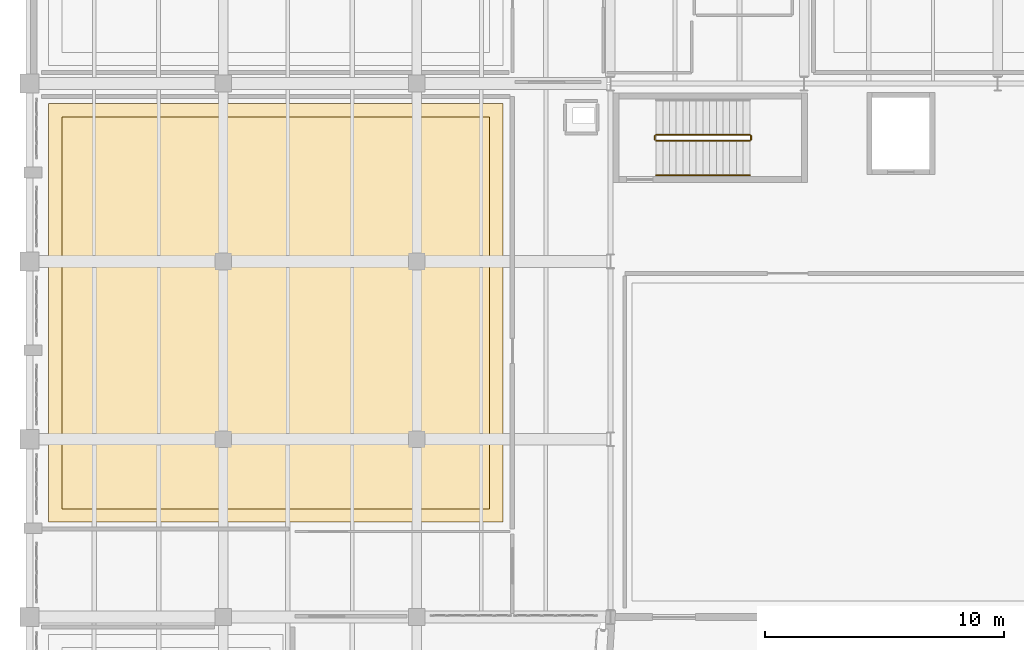
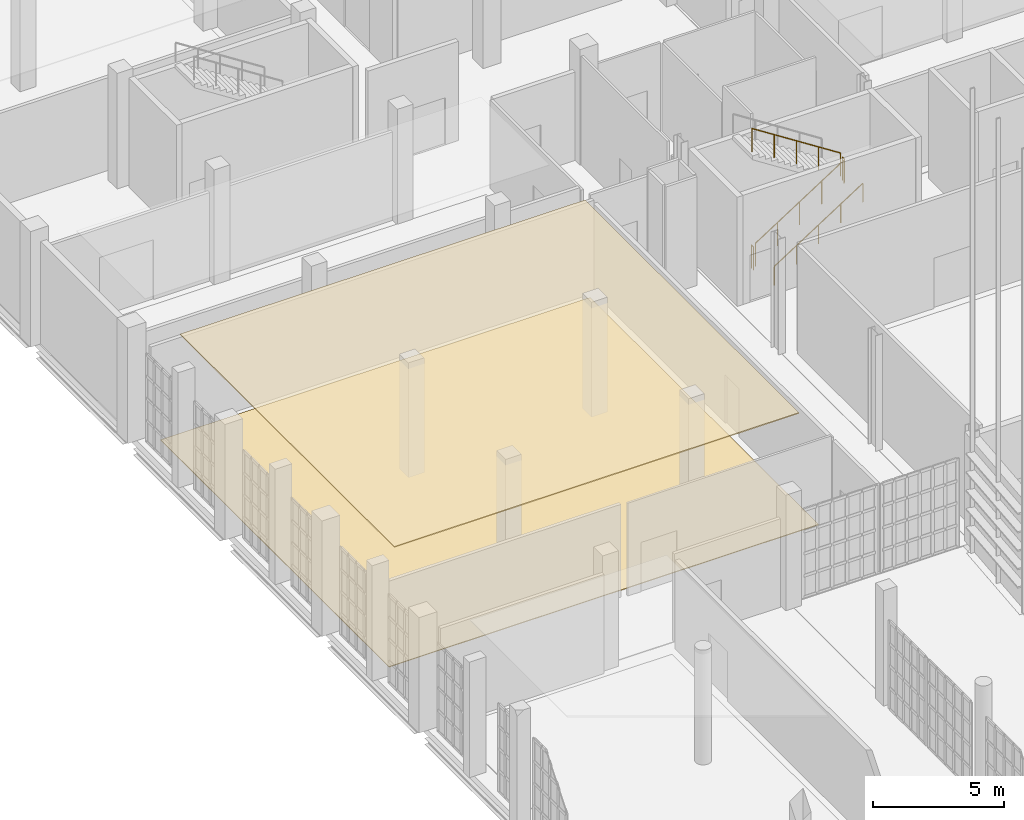
# One storey, part 363 of 372: 5 railings, 2 coverings.
"""IFC4 building model written with IfcOpenShell, lengths in metres."""

import ifcopenshell
import ifcopenshell.guid

model = None  # the IFC model being written
_history = None  # IfcOwnerHistory: only IFC2X3 demands one
_inside = {}  # id of a spatial element -> (the spatial element, [elements in it])
_under = {}  # id of a project, library or spatial element -> (it, [spatial elements below it])
_declared = {}  # id of a project -> (the project, [libraries it declares])
_typed = {}  # id of a type object -> (the type object, [elements of that type])
_made_of = {}  # id of a material, layer set ... -> (it, [elements and type objects made of it])


def new_model(schema):
    """Start an empty IFC model of exactly this schema.

    Asked for "IFC4X3", IfcOpenShell would pick the latest addendum, in which some entities
    have other attributes; the version numbers below select the first issue.
    IFC2X3 requires an IfcOwnerHistory on every rooted entity: one is made here for all.
    """
    global model, _history
    if schema == "IFC4X3":
        model = ifcopenshell.file(schema_version=(4, 3, 0, 0))
    else:
        model = ifcopenshell.file(schema=schema)
    _inside.clear()
    _under.clear()
    _declared.clear()
    _typed.clear()
    _made_of.clear()
    _history = None
    if model.schema == "IFC2X3":
        org = make("IfcOrganization", Name="unknown")
        user = make(
            "IfcPersonAndOrganization",
            ThePerson=make("IfcPerson", FamilyName="unknown"),
            TheOrganization=org,
        )
        app = make(
            "IfcApplication",
            ApplicationDeveloper=org,
            Version="unknown",
            ApplicationFullName="unknown",
            ApplicationIdentifier="unknown",
        )
        _history = make(
            "IfcOwnerHistory",
            OwningUser=user,
            OwningApplication=app,
            ChangeAction="ADDED",
            CreationDate=0,
        )
    return model


def make(cls, **values):
    """One entity of the class cls with the attributes given. An attribute that is None is left unset."""
    return model.create_entity(
        cls, **{name: value for name, value in values.items() if value is not None}
    )


def rooted(cls, **values):
    """An entity with a GlobalId (a new one), such as an element, a storey or a relation."""
    return make(cls, GlobalId=ifcopenshell.guid.new(), OwnerHistory=_history, **values)


def si_unit(unit_type, name, prefix=None):
    """IfcSIUnit, for example si_unit("LENGTHUNIT", "METRE", prefix="MILLI")."""
    return make("IfcSIUnit", UnitType=unit_type, Prefix=prefix, Name=name)


def assignment(units):
    """IfcUnitAssignment: the units of a project."""
    return None if units is None else make("IfcUnitAssignment", Units=units)


def point(xyz):
    """IfcCartesianPoint."""
    return None if xyz is None else make("IfcCartesianPoint", Coordinates=xyz)


def direction(xyz):
    """IfcDirection."""
    return None if xyz is None else make("IfcDirection", DirectionRatios=xyz)


def frame(location, z_axis=None, x_axis=None):
    """IfcAxis2Placement3D, a coordinate frame: its origin and axes. An axis left out is left unset."""
    return make(
        "IfcAxis2Placement3D",
        Location=point(location),
        Axis=direction(z_axis),
        RefDirection=direction(x_axis),
    )


def frame_2d(location, x_axis=None):
    """IfcAxis2Placement2D, a coordinate frame in the plane: its origin and x axis."""
    return make(
        "IfcAxis2Placement2D", Location=point(location), RefDirection=direction(x_axis)
    )


def origin():
    """The frame at (0, 0, 0) with its axes left unset."""
    return frame((0.0, 0.0, 0.0))


def origin_2d():
    """The frame at (0, 0) in the plane with its x axis left unset."""
    return frame_2d((0.0, 0.0))


def place(relative_to, where):
    """IfcLocalPlacement: puts the frame where relative to a parent placement (None: the world)."""
    return make(
        "IfcLocalPlacement", PlacementRelTo=relative_to, RelativePlacement=where
    )


def context(
    kind, dimensions, precision=None, world=None, true_north=None, identifier=None
):
    """IfcGeometricRepresentationContext, for example the 3D "Model" context."""
    return make(
        "IfcGeometricRepresentationContext",
        ContextIdentifier=identifier,
        ContextType=kind,
        CoordinateSpaceDimension=dimensions,
        Precision=precision,
        WorldCoordinateSystem=world,
        TrueNorth=true_north,
    )


def subcontext(parent, identifier, kind, view, scale=None):
    """IfcGeometricRepresentationSubContext, for example "Body" below "Model"."""
    return make(
        "IfcGeometricRepresentationSubContext",
        ContextIdentifier=identifier,
        ContextType=kind,
        ParentContext=parent,
        TargetScale=scale,
        TargetView=view,
    )


def project(units=None, contexts=None):
    """IfcProject with its units and contexts."""
    return rooted(
        "IfcProject",
        Name="project",
        RepresentationContexts=contexts,
        UnitsInContext=assignment(units),
    )


def spatial(cls, under=None, at=None, **own):
    """A site, building, storey or space (cls), placed at a placement, below another one or the project."""
    s = rooted(cls, ObjectPlacement=at, **own)
    if under is not None:
        _under.setdefault(under.id(), (under, []))[1].append(s)
    return s


def polyline(points):
    """IfcPolyline through the points."""
    return make("IfcPolyline", Points=[point(p) for p in points])


def profile(cls, at=None, kind="AREA", **sizes):
    """A parametric profile (cls). Its sizes go by their IFC names, for example OverallWidth=200.0."""
    return make(cls, ProfileType=kind, Position=at, **sizes)


def circle(**sizes):
    """IfcCircleProfileDef."""
    return profile("IfcCircleProfileDef", **sizes)


def outline(outer, holes=None, kind="AREA"):
    """IfcArbitraryClosedProfileDef: a profile drawn as a closed curve; with holes, ...WithVoids."""
    if holes is None:
        return make("IfcArbitraryClosedProfileDef", ProfileType=kind, OuterCurve=outer)
    return make(
        "IfcArbitraryProfileDefWithVoids",
        ProfileType=kind,
        OuterCurve=outer,
        InnerCurves=holes,
    )


def extrude(swept, where, along, depth):
    """IfcExtrudedAreaSolid: the profile swept, set in the frame where, extruded along a direction by depth."""
    return make(
        "IfcExtrudedAreaSolid",
        SweptArea=swept,
        Position=where,
        ExtrudedDirection=direction(along),
        Depth=depth,
    )


def shape(context_of_items, identifier, shape_type, items):
    """IfcShapeRepresentation: the items that make up one representation, for example the "Body"."""
    return make(
        "IfcShapeRepresentation",
        ContextOfItems=context_of_items,
        RepresentationIdentifier=identifier,
        RepresentationType=shape_type,
        Items=items,
    )


def material(Name=None, Category=None):
    """IfcMaterial."""
    return make("IfcMaterial", Name=Name, Category=Category)


def layer(
    of_material, thickness, ventilated=None, Name=None, Category=None, Priority=None
):
    """IfcMaterialLayer: one layer of a wall or slab, of a material (None: an air gap)."""
    return make(
        "IfcMaterialLayer",
        Material=of_material,
        LayerThickness=thickness,
        IsVentilated=ventilated,
        Name=Name,
        Category=Category,
        Priority=Priority,
    )


def layer_set(layers, Name=None):
    """IfcMaterialLayerSet."""
    return make("IfcMaterialLayerSet", MaterialLayers=layers, LayerSetName=Name)


def made_of(thing, what):
    """Note that an element or type object is made of a material, layer set ...; save() writes the relation."""
    if what is not None:
        _made_of.setdefault(what.id(), (what, []))[1].append(thing)
    return thing


def type_object(cls, material=None, **own):
    """A type object (cls), such as IfcWallType, which elements share."""
    return made_of(rooted(cls, **own), material)


def element(
    cls,
    number,
    at=None,
    inside=None,
    cuts=None,
    type_object=None,
    material=None,
    context=None,
    identifier="Body",
    shape_type=None,
    held_by="IfcProductDefinitionShape",
    body=None,
    shapes=None,
    **own,
):
    """One element of the class cls, such as IfcWall. Its Tag is "e" and its number.

    at: its placement. inside: the storey or other place that contains it. cuts: it is an
    opening in that element (IfcRelVoidsElement). A single representation is given by context,
    identifier, shape_type and body (its items); several are given by shapes. held_by: the class
    of the entity that holds the representations. save() writes the other relations.
    """
    e = rooted(cls, Tag="e%d" % number, ObjectPlacement=at, **own)
    if body is not None:
        shapes = [shape(context, identifier, shape_type, body)]
    if shapes is not None:
        e.Representation = make(held_by, Representations=shapes)
    if inside is not None:
        _inside.setdefault(inside.id(), (inside, []))[1].append(e)
    if cuts is not None:
        rooted(
            "IfcRelVoidsElement", RelatingBuildingElement=cuts, RelatedOpeningElement=e
        )
    if type_object is not None:
        _typed.setdefault(type_object.id(), (type_object, []))[1].append(e)
    return made_of(e, material)


def aggregate(whole, parts):
    """IfcRelAggregates: a whole, such as a stair, and the parts it consists of."""
    return rooted("IfcRelAggregates", RelatingObject=whole, RelatedObjects=parts)


def save(model, path):
    """Write the relations noted so far, then the file.

    IfcRelAggregates (storeys below a building ...), IfcRelContainedInSpatialStructure (elements
    in a storey), IfcRelDefinesByType, IfcRelAssociatesMaterial and IfcRelDeclares: one each for
    every whole, place, type object, material and project.
    """
    for whole, parts in _under.values():
        aggregate(whole, parts)
    for where, things in _inside.values():
        rooted(
            "IfcRelContainedInSpatialStructure",
            RelatedElements=things,
            RelatingStructure=where,
        )
    for kind, things in _typed.values():
        rooted("IfcRelDefinesByType", RelatedObjects=things, RelatingType=kind)
    for what, things in _made_of.values():
        rooted("IfcRelAssociatesMaterial", RelatedObjects=things, RelatingMaterial=what)
    for by, libraries in _declared.values():
        rooted("IfcRelDeclares", RelatingContext=by, RelatedDefinitions=libraries)
    model.write(path)


model = new_model("IFC4")

# Units and contexts
model_context = context("Model", 3, precision=1e-05, world=origin(), true_north=direction((0.0, 1.0)))
body_context = subcontext(model_context, "Body", "Model", "MODEL_VIEW")
ifc_project = project(units=[si_unit("LENGTHUNIT", "METRE"), si_unit("AREAUNIT", "SQUARE_METRE"), si_unit("VOLUMEUNIT", "CUBIC_METRE"), si_unit("PLANEANGLEUNIT", "RADIAN"), si_unit("MASSUNIT", "GRAM", prefix="KILO")], contexts=[model_context])

# Site, building, storey
site_placement = place(None, origin())
site = spatial("IfcSite", under=ifc_project, at=site_placement, CompositionType="ELEMENT")
building_placement = place(site_placement, origin())
building = spatial("IfcBuilding", under=site, at=building_placement, Name="Kaelora Sail Theatre", CompositionType="ELEMENT")
storey_placement = place(building_placement, origin())
storey = spatial("IfcBuildingStorey", under=building, at=storey_placement, Name="L00", CompositionType="ELEMENT", Elevation=0.0)

# Coverings
ifc_material_1 = material(Name="Micro-perforated timber acoustic reflector", Category="wood")
ifc_layer_1 = layer(ifc_material_1, 0.050048828125)
ifc_layer_set_1 = layer_set([ifc_layer_1], Name="Micro-perforated timber acoustic reflector")
covering_type_1 = type_object("IfcCoveringType", Name="ARC-COV-CLG-AC-50", PredefinedType="CEILING", material=ifc_layer_set_1)
covering_1_placement = place(storey_placement, frame((0.0, 0.0, 5.070068359375)))
element("IfcCovering", 1, at=covering_1_placement, inside=storey, type_object=covering_type_1, Name="Acoustic ceiling L00-CAFE-WEST", PredefinedType="CEILING", context=body_context, shape_type="SweptSolid", body=[
    extrude(outline(polyline([(2.85009765625, 65.550048828125), (20.75, 65.550048828125), (20.75, 81.949951171875), (2.85009765625, 81.949951171875), (2.85009765625, 65.550048828125)])), origin(), (0.0, 0.0, 1.0), 0.050048828125),
])
ifc_material_2 = material(Name="Polished basalt-terrazzo foyer flooring", Category="masonry")
ifc_layer_2 = layer(ifc_material_2, 0.031982421875)
ifc_layer_set_2 = layer_set([ifc_layer_2], Name="Polished basalt-terrazzo foyer flooring")
covering_type_2 = type_object("IfcCoveringType", Name="ARC-COV-FLR-TRZ-32", PredefinedType="FLOORING", material=ifc_layer_set_2)
covering_2_placement = place(storey_placement, origin())
element("IfcCovering", 2, at=covering_2_placement, inside=storey, type_object=covering_type_2, Name="Architectural flooring L00-CAFE-WEST", PredefinedType="FLOORING", context=body_context, shape_type="SweptSolid", body=[
    extrude(outline(polyline([(2.300048828125, 65.0), (21.300048828125, 65.0), (21.300048828125, 82.5), (2.300048828125, 82.5), (2.300048828125, 65.0)])), origin(), (0.0, 0.0, 1.0), 0.031982421875),
])

# Railings
ifc_material_3 = material(Name="Painted steel and laminated safety glass guard", Category="steel")
railing_type_1 = type_object("IfcRailingType", Name="ARC-RL-GRD", PredefinedType="GUARDRAIL", material=ifc_material_3)
railing_1_placement = place(storey_placement, frame((27.7099609375, 80.949951171875, 0.179931640625)))
element("IfcRailing", 3, at=railing_1_placement, inside=storey, type_object=railing_type_1, Name="L00 ST-K1 stair guard 1", PredefinedType="GUARDRAIL", context=body_context, shape_type="SweptSolid", body=[
    extrude(circle(Radius=0.02392578125, at=origin_2d()), frame((0.0, 0.0, 1.076171875), z_axis=(0.841171666519, 0.0, 0.540768182723), x_axis=(0.0, 1.0, 0.0)), (0.0, 0.0, 1.0), 4.66015625),
    extrude(circle(Radius=0.02099609375, at=origin_2d()), origin(), (0.0, 0.0, 1.0), 1.052001953125),
    extrude(circle(Radius=0.02099609375, at=origin_2d()), frame((0.97998046875, 0.0, 0.6298828125)), (0.0, 0.0, 1.0), 1.052001953125),
    extrude(circle(Radius=0.02099609375, at=origin_2d()), frame((1.9599609375, 0.0, 1.260009765625)), (0.0, 0.0, 1.0), 1.052001953125),
    extrude(circle(Radius=0.02099609375, at=origin_2d()), frame((2.93994140625, 0.0, 1.89013671875)), (0.0, 0.0, 1.0), 1.052001953125),
    extrude(circle(Radius=0.02099609375, at=origin_2d()), frame((3.919921875, 0.0, 2.52001953125)), (0.0, 0.0, 1.0), 1.052001953125),
])
railing_2_placement = place(storey_placement, frame((31.679931640625, 81.0, 2.699951171875)))
element("IfcRailing", 4, at=railing_2_placement, inside=storey, type_object=railing_type_1, Name="L00 ST-K1 stair guard 2", PredefinedType="GUARDRAIL", context=body_context, shape_type="SweptSolid", body=[
    extrude(circle(Radius=0.02392578125, at=origin_2d()), frame((0.0, 0.0, 1.076171875), z_axis=(0.0, 1.0, 0.0), x_axis=(-1.0, 0.0, 0.0)), (0.0, 0.0, 1.0), 0.14990234375),
    extrude(circle(Radius=0.02099609375, at=origin_2d()), origin(), (0.0, 0.0, 1.0), 1.052001953125),
    extrude(circle(Radius=0.02099609375, at=origin_2d()), frame((0.0, 0.14990234375, 0.0)), (0.0, 0.0, 1.0), 1.052001953125),
])
railing_3_placement = place(storey_placement, frame((31.6298828125, 81.199951171875, 2.8798828125)))
element("IfcRailing", 5, at=railing_3_placement, inside=storey, type_object=railing_type_1, Name="L00 ST-K1 stair guard 3", PredefinedType="GUARDRAIL", context=body_context, shape_type="SweptSolid", body=[
    extrude(circle(Radius=0.02392578125, at=origin_2d()), frame((0.0, 0.0, 1.076171875), z_axis=(-0.841171666519, 0.0, 0.540768182723), x_axis=(0.0, -1.0, 0.0)), (0.0, 0.0, 1.0), 4.66015625),
    extrude(circle(Radius=0.02099609375, at=origin_2d()), origin(), (0.0, 0.0, 1.0), 1.052001953125),
    extrude(circle(Radius=0.02099609375, at=origin_2d()), frame((-0.97998046875, 0.0, 0.6298828125)), (0.0, 0.0, 1.0), 1.052001953125),
    extrude(circle(Radius=0.02099609375, at=origin_2d()), frame((-1.9599609375, 0.0, 1.260009765625)), (0.0, 0.0, 1.0), 1.052001953125),
    extrude(circle(Radius=0.02099609375, at=origin_2d()), frame((-2.93994140625, 0.0, 1.89013671875)), (0.0, 0.0, 1.0), 1.052001953125),
    extrude(circle(Radius=0.02099609375, at=origin_2d()), frame((-3.919921875, 0.0, 2.52001953125)), (0.0, 0.0, 1.0), 1.052001953125),
])
railing_4_placement = place(storey_placement, frame((27.659912109375, 81.0, 0.0)))
element("IfcRailing", 6, at=railing_4_placement, inside=storey, type_object=railing_type_1, Name="L00 ST-K1 stair guard 4", PredefinedType="GUARDRAIL", context=body_context, shape_type="SweptSolid", body=[
    extrude(circle(Radius=0.02392578125, at=origin_2d()), frame((0.0, 0.0, 1.076171875), z_axis=(0.0, 1.0, 0.0), x_axis=(-1.0, 0.0, 0.0)), (0.0, 0.0, 1.0), 0.14990234375),
    extrude(circle(Radius=0.02099609375, at=origin_2d()), origin(), (0.0, 0.0, 1.0), 1.052001953125),
    extrude(circle(Radius=0.02099609375, at=origin_2d()), frame((0.0, 0.14990234375, 0.0)), (0.0, 0.0, 1.0), 1.052001953125),
])
ifc_material_4 = material(Name="Brushed stainless steel 316L tubular handrail", Category="steel")
railing_type_2 = type_object("IfcRailingType", Name="ARC-RL-HND", PredefinedType="HANDRAIL", material=ifc_material_4)
railing_5_placement = place(storey_placement, frame((27.7099609375, 79.5, 0.179931640625)))
element("IfcRailing", 7, at=railing_5_placement, inside=storey, type_object=railing_type_2, Name="L00 ST-K1 stair handrail 1", PredefinedType="HANDRAIL", context=body_context, shape_type="SweptSolid", body=[
    extrude(circle(Radius=0.02392578125, at=origin_2d()), frame((0.0, 0.0, 0.8759765625), z_axis=(0.841171666519, 0.0, 0.540768182723), x_axis=(0.0, 1.0, 0.0)), (0.0, 0.0, 1.0), 4.66015625),
    extrude(circle(Radius=0.02099609375, at=origin_2d()), origin(), (0.0, 0.0, 1.0), 0.851806640625),
    extrude(circle(Radius=0.02099609375, at=origin_2d()), frame((0.97998046875, 0.0, 0.6298828125)), (0.0, 0.0, 1.0), 0.851806640625),
    extrude(circle(Radius=0.02099609375, at=origin_2d()), frame((1.9599609375, 0.0, 1.260009765625)), (0.0, 0.0, 1.0), 0.851806640625),
    extrude(circle(Radius=0.02099609375, at=origin_2d()), frame((2.93994140625, 0.0, 1.89013671875)), (0.0, 0.0, 1.0), 0.851806640625),
    extrude(circle(Radius=0.02099609375, at=origin_2d()), frame((3.919921875, 0.0, 2.52001953125)), (0.0, 0.0, 1.0), 0.851806640625),
])

save(model, "model.ifc")
